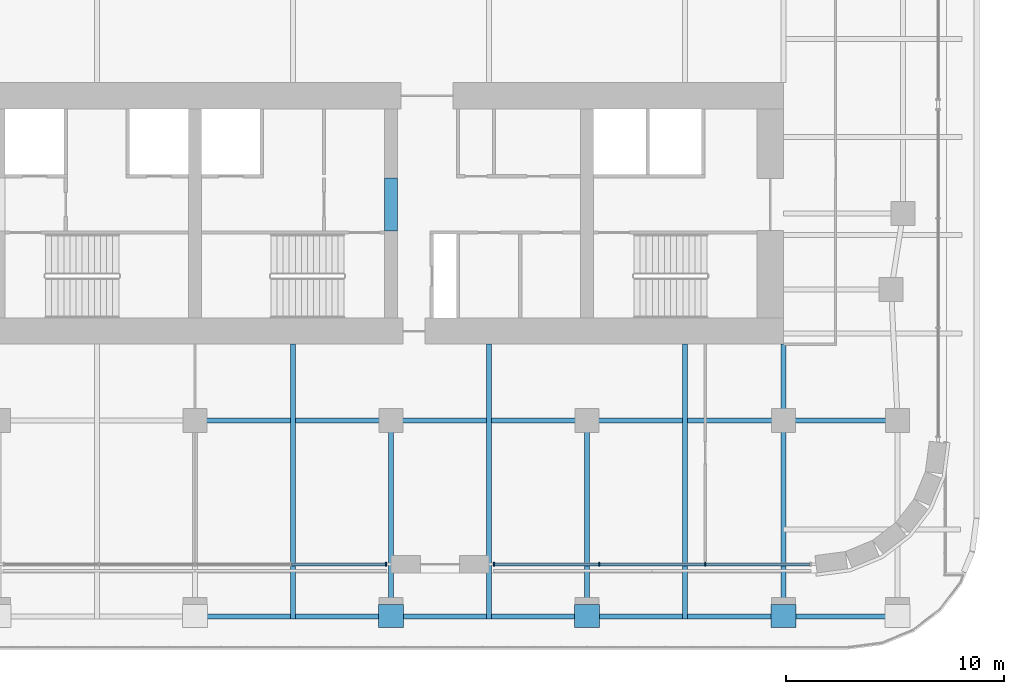
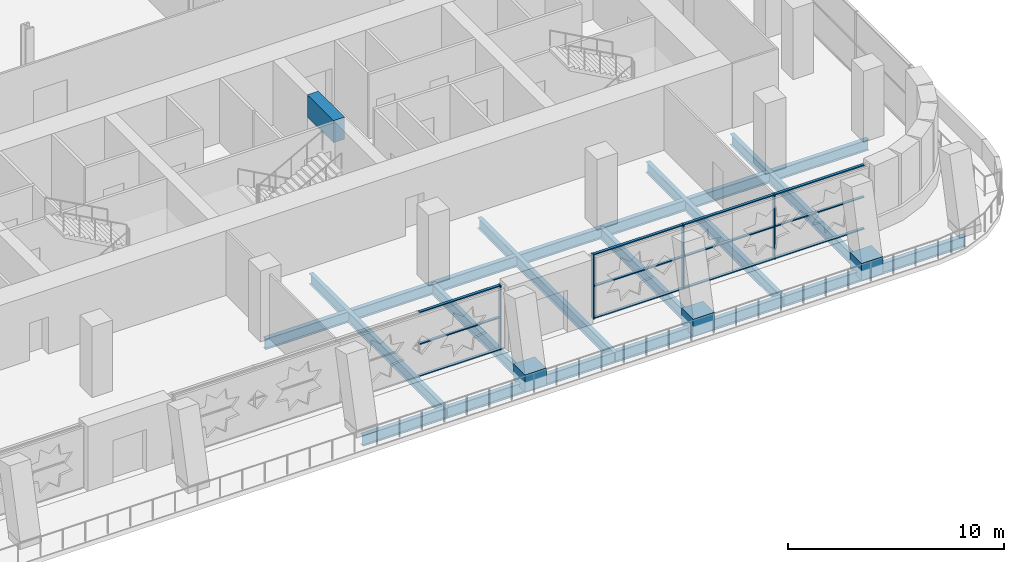
# One storey, part 6 of 26: 16 members, 14 beams, 2 elements without a shape of their own.
"""IFC4 building model written with IfcOpenShell, lengths in metres."""

from ifc_helpers import new_model, si_unit, direction, frame, origin, origin_2d, place, context, subcontext, project, spatial, rectangle, i_section, extrude, material, material_profile, profile_set, type_object, element, aggregate, save


model = new_model("IFC4")

# Units and contexts
model_context = context("Model", 3, precision=1e-05, world=origin(), true_north=direction((0.0, 1.0)))
body_context = subcontext(model_context, "Body", "Model", "MODEL_VIEW")
ifc_project = project(units=[si_unit("LENGTHUNIT", "METRE"), si_unit("AREAUNIT", "SQUARE_METRE"), si_unit("VOLUMEUNIT", "CUBIC_METRE"), si_unit("PLANEANGLEUNIT", "RADIAN"), si_unit("MASSUNIT", "GRAM", prefix="KILO")], contexts=[model_context])

# Site, building, storey
site_placement = place(None, origin())
site = spatial("IfcSite", under=ifc_project, at=site_placement, CompositionType="ELEMENT")
building_placement = place(site_placement, origin())
building = spatial("IfcBuilding", under=site, at=building_placement, Name="Zellij Exchange Tower", CompositionType="ELEMENT")
storey_placement = place(building_placement, frame((0.0, 0.0, 100.5)))
storey = spatial("IfcBuildingStorey", under=building, at=storey_placement, Name="L21", CompositionType="ELEMENT", Elevation=100.5)

# Beam
ifc_material_1 = material(Name="Concrete C70/85", Category="concrete")
ifc_material_profile_1 = material_profile(ifc_material_1, rectangle(XDim=0.60009765625, YDim=1.25, at=origin_2d()), Name="CORE-CB 600x1250 C70/85")
ifc_profile_set_1 = profile_set([ifc_material_profile_1], Name="Concrete C70/85")
beam_type_1 = type_object("IfcBeamType", Name="CORE-CB 600x1250 C70/85", PredefinedType="BEAM", material=ifc_profile_set_1)
beam_1_placement = place(storey_placement, frame((9.0, -8.800048828125, 3.02490234375), z_axis=(0.0, 1.0, 0.0), x_axis=(-1.0, 0.0, 0.0)))
element("IfcBeam", 1, at=beam_1_placement, inside=storey, type_object=beam_type_1, Name="Core coupling beam x 9 L21", PredefinedType="BEAM", context=body_context, shape_type="SweptSolid", body=[
    extrude(rectangle(XDim=0.60009765625, YDim=1.25, at=origin_2d()), origin(), (0.0, 0.0, 1.0), 2.425048828125),
])

# Curtain wall, member
ifc_material_2 = material(Name="Aluminium frame, clear insulating glass", Category="aluminium")
curtain_wall_type = type_object("IfcCurtainWallType", Name="ENV-CW6 Sky-lobby glazing", PredefinedType="NOTDEFINED", material=ifc_material_2)
curtain_wall_1_placement = place(storey_placement, origin())
curtain_wall_1 = element("IfcCurtainWall", 2, at=curtain_wall_1_placement, inside=storey, type_object=curtain_wall_type, Name="cw.L21.00c", PredefinedType="NOTDEFINED")
ifc_material_3 = material(Name="Aluminium", Category="aluminium")
ifc_material_profile_2 = material_profile(ifc_material_3, rectangle(XDim=0.06005859375, YDim=0.199951171875, at=origin_2d()), Name="AL 60x200")
ifc_profile_set_2 = profile_set([ifc_material_profile_2], Name="Aluminium")
member_type_1 = type_object("IfcMemberType", Name="ENV-CW6M Mullion 60x200", PredefinedType="MULLION", material=ifc_profile_set_2)
member_1_placement = place(storey_placement, frame((8.77001953125, -24.10009765625, 0.0), z_axis=(0.0, 0.0, 1.0), x_axis=(1.0, 0.0, 0.0)))
member_1 = element("IfcMember", 3, at=member_1_placement, type_object=member_type_1, Name="CW6 mullion 5", PredefinedType="MULLION", context=body_context, shape_type="SweptSolid", body=[
    extrude(rectangle(XDim=0.06005859375, YDim=0.199951171875, at=origin_2d()), origin(), (0.0, 0.0, 1.0), 3.64990234375),
])

# Curtain wall, members
curtain_wall_2_placement = place(storey_placement, origin())
curtain_wall_2 = element("IfcCurtainWall", 4, at=curtain_wall_2_placement, inside=storey, type_object=curtain_wall_type, Name="cw.L21.00e", PredefinedType="NOTDEFINED")
member_2_placement = place(storey_placement, frame((13.72998046875, -24.10009765625, 0.0), z_axis=(0.0, 0.0, 1.0), x_axis=(1.0, 0.0, 0.0)))
member_2 = element("IfcMember", 5, at=member_2_placement, type_object=member_type_1, Name="CW6 mullion 1", PredefinedType="MULLION", context=body_context, shape_type="SweptSolid", body=[
    extrude(rectangle(XDim=0.06005859375, YDim=0.199951171875, at=origin_2d()), origin(), (0.0, 0.0, 1.0), 3.64990234375),
])
member_3_placement = place(storey_placement, frame((18.557861328125, -24.10009765625, 0.0), z_axis=(0.0, 0.0, 1.0), x_axis=(1.0, 0.0, 0.0)))
member_3 = element("IfcMember", 6, at=member_3_placement, type_object=member_type_1, Name="CW6 mullion 2", PredefinedType="MULLION", context=body_context, shape_type="SweptSolid", body=[
    extrude(rectangle(XDim=0.06005859375, YDim=0.199951171875, at=origin_2d()), origin(), (0.0, 0.0, 1.0), 3.64990234375),
])
member_4_placement = place(storey_placement, frame((23.415771484375, -24.10009765625, 0.0), z_axis=(0.0, 0.0, 1.0), x_axis=(1.0, 0.0, 0.0)))
member_4 = element("IfcMember", 7, at=member_4_placement, type_object=member_type_1, Name="CW6 mullion 3", PredefinedType="MULLION", context=body_context, shape_type="SweptSolid", body=[
    extrude(rectangle(XDim=0.06005859375, YDim=0.199951171875, at=origin_2d()), origin(), (0.0, 0.0, 1.0), 3.64990234375),
])

# Member
ifc_material_profile_3 = material_profile(ifc_material_3, rectangle(XDim=0.139892578125, YDim=0.06005859375, at=origin_2d()), Name="AL 140x60")
ifc_profile_set_3 = profile_set([ifc_material_profile_3], Name="Aluminium")
member_type_2 = type_object("IfcMemberType", Name="ENV-CW6T Transom 140x60", PredefinedType="USERDEFINED", material=ifc_profile_set_3)
member_5_placement = place(storey_placement, frame((4.429931640625, -24.10009765625, 0.030029296875), z_axis=(1.0, 0.0, 0.0), x_axis=(0.0, 1.0, 0.0)))
member_5 = element("IfcMember", 8, at=member_5_placement, type_object=member_type_2, Name="CW6 transom 4.1", ObjectType="TRANSOM", PredefinedType="USERDEFINED", context=body_context, shape_type="SweptSolid", body=[
    extrude(rectangle(XDim=0.139892578125, YDim=0.06005859375, at=origin_2d()), origin(), (0.0, 0.0, 1.0), 4.31005859375),
])

member_6_placement = place(storey_placement, frame((4.429931640625, -24.10009765625, 1.824951171875), z_axis=(1.0, 0.0, 0.0), x_axis=(0.0, 1.0, 0.0)))
member_6 = element("IfcMember", 9, at=member_6_placement, type_object=member_type_2, Name="CW6 transom 4.2", ObjectType="TRANSOM", PredefinedType="USERDEFINED", context=body_context, shape_type="SweptSolid", body=[
    extrude(rectangle(XDim=0.139892578125, YDim=0.06005859375, at=origin_2d()), origin(), (0.0, 0.0, 1.0), 4.31005859375),
])

member_7_placement = place(storey_placement, frame((4.429931640625, -24.10009765625, 3.6201171875), z_axis=(1.0, 0.0, 0.0), x_axis=(0.0, 1.0, 0.0)))
member_7 = element("IfcMember", 10, at=member_7_placement, type_object=member_type_2, Name="CW6 transom 4.3", ObjectType="TRANSOM", PredefinedType="USERDEFINED", context=body_context, shape_type="SweptSolid", body=[
    extrude(rectangle(XDim=0.139892578125, YDim=0.06005859375, at=origin_2d()), origin(), (0.0, 0.0, 1.0), 4.31005859375),
])

aggregate(curtain_wall_1, [member_1, member_5, member_6, member_7])

member_8_placement = place(storey_placement, frame((13.760009765625, -24.10009765625, 0.030029296875), z_axis=(1.0, 0.0, 0.0), x_axis=(0.0, 1.0, 0.0)))
member_8 = element("IfcMember", 11, at=member_8_placement, type_object=member_type_2, Name="CW6 transom 1.1", ObjectType="TRANSOM", PredefinedType="USERDEFINED", context=body_context, shape_type="SweptSolid", body=[
    extrude(rectangle(XDim=0.139892578125, YDim=0.06005859375, at=origin_2d()), origin(), (0.0, 0.0, 1.0), 4.767822265625),
])

member_9_placement = place(storey_placement, frame((13.760009765625, -24.10009765625, 1.824951171875), z_axis=(1.0, 0.0, 0.0), x_axis=(0.0, 1.0, 0.0)))
member_9 = element("IfcMember", 12, at=member_9_placement, type_object=member_type_2, Name="CW6 transom 1.2", ObjectType="TRANSOM", PredefinedType="USERDEFINED", context=body_context, shape_type="SweptSolid", body=[
    extrude(rectangle(XDim=0.139892578125, YDim=0.06005859375, at=origin_2d()), origin(), (0.0, 0.0, 1.0), 4.767822265625),
])

member_10_placement = place(storey_placement, frame((13.760009765625, -24.10009765625, 3.6201171875), z_axis=(1.0, 0.0, 0.0), x_axis=(0.0, 1.0, 0.0)))
member_10 = element("IfcMember", 13, at=member_10_placement, type_object=member_type_2, Name="CW6 transom 1.3", ObjectType="TRANSOM", PredefinedType="USERDEFINED", context=body_context, shape_type="SweptSolid", body=[
    extrude(rectangle(XDim=0.139892578125, YDim=0.06005859375, at=origin_2d()), origin(), (0.0, 0.0, 1.0), 4.767822265625),
])

member_11_placement = place(storey_placement, frame((18.587890625, -24.10009765625, 0.030029296875), z_axis=(1.0, 0.0, 0.0), x_axis=(0.0, 1.0, 0.0)))
member_11 = element("IfcMember", 14, at=member_11_placement, type_object=member_type_2, Name="CW6 transom 2.1", ObjectType="TRANSOM", PredefinedType="USERDEFINED", context=body_context, shape_type="SweptSolid", body=[
    extrude(rectangle(XDim=0.139892578125, YDim=0.06005859375, at=origin_2d()), origin(), (0.0, 0.0, 1.0), 4.798095703125),
])

member_12_placement = place(storey_placement, frame((18.587890625, -24.10009765625, 1.824951171875), z_axis=(1.0, 0.0, 0.0), x_axis=(0.0, 1.0, 0.0)))
member_12 = element("IfcMember", 15, at=member_12_placement, type_object=member_type_2, Name="CW6 transom 2.2", ObjectType="TRANSOM", PredefinedType="USERDEFINED", context=body_context, shape_type="SweptSolid", body=[
    extrude(rectangle(XDim=0.139892578125, YDim=0.06005859375, at=origin_2d()), origin(), (0.0, 0.0, 1.0), 4.798095703125),
])

member_13_placement = place(storey_placement, frame((18.587890625, -24.10009765625, 3.6201171875), z_axis=(1.0, 0.0, 0.0), x_axis=(0.0, 1.0, 0.0)))
member_13 = element("IfcMember", 16, at=member_13_placement, type_object=member_type_2, Name="CW6 transom 2.3", ObjectType="TRANSOM", PredefinedType="USERDEFINED", context=body_context, shape_type="SweptSolid", body=[
    extrude(rectangle(XDim=0.139892578125, YDim=0.06005859375, at=origin_2d()), origin(), (0.0, 0.0, 1.0), 4.798095703125),
])

member_14_placement = place(storey_placement, frame((23.44580078125, -24.10009765625, 0.030029296875), z_axis=(1.0, 0.0, 0.0), x_axis=(0.0, 1.0, 0.0)))
member_14 = element("IfcMember", 17, at=member_14_placement, type_object=member_type_2, Name="CW6 transom 3.1", ObjectType="TRANSOM", PredefinedType="USERDEFINED", context=body_context, shape_type="SweptSolid", body=[
    extrude(rectangle(XDim=0.139892578125, YDim=0.06005859375, at=origin_2d()), origin(), (0.0, 0.0, 1.0), 4.76806640625),
])

member_15_placement = place(storey_placement, frame((23.44580078125, -24.10009765625, 1.824951171875), z_axis=(1.0, 0.0, 0.0), x_axis=(0.0, 1.0, 0.0)))
member_15 = element("IfcMember", 18, at=member_15_placement, type_object=member_type_2, Name="CW6 transom 3.2", ObjectType="TRANSOM", PredefinedType="USERDEFINED", context=body_context, shape_type="SweptSolid", body=[
    extrude(rectangle(XDim=0.139892578125, YDim=0.06005859375, at=origin_2d()), origin(), (0.0, 0.0, 1.0), 4.76806640625),
])

member_16_placement = place(storey_placement, frame((23.44580078125, -24.10009765625, 3.6201171875), z_axis=(1.0, 0.0, 0.0), x_axis=(0.0, 1.0, 0.0)))
member_16 = element("IfcMember", 19, at=member_16_placement, type_object=member_type_2, Name="CW6 transom 3.3", ObjectType="TRANSOM", PredefinedType="USERDEFINED", context=body_context, shape_type="SweptSolid", body=[
    extrude(rectangle(XDim=0.139892578125, YDim=0.06005859375, at=origin_2d()), origin(), (0.0, 0.0, 1.0), 4.76806640625),
])

aggregate(curtain_wall_2, [member_2, member_3, member_4, member_8, member_9, member_10, member_11, member_12, member_13, member_14, member_15, member_16])

# Beams
ifc_material_4 = material(Name="Structural steel ASTM A992 Gr 50", Category="steel")
ifc_material_profile_4 = material_profile(ifc_material_4, i_section(OverallWidth=0.227783203125, OverallDepth=0.60205078125, WebThickness=0.010498046875, FlangeThickness=0.014892578125, at=origin_2d()), Name="W24x68")
ifc_profile_set_4 = profile_set([ifc_material_profile_4], Name="Structural steel ASTM A992 Gr 50")
beam_type_2 = type_object("IfcBeamType", Name="STR-BEAM W24x68", PredefinedType="BEAM", material=ifc_profile_set_4)
for number, where, z_axis, x_axis, name in (
    (20, (4.5, -26.614501953125, -0.60107421875), (0.0, 1.0, 0.0), (-1.0, 0.0, 0.0), "B5"),
    (21, (13.5, -26.614501953125, -0.60107421875), (0.0, 1.0, 0.0), (-1.0, 0.0, 0.0), "B5"),
    (22, (22.5, -26.614501953125, -0.60107421875), (0.0, 1.0, 0.0), (-1.0, 0.0, 0.0), "B5"),
):
    element("IfcBeam", number, at=place(storey_placement, frame(where, z_axis=z_axis, x_axis=x_axis)), inside=storey, type_object=beam_type_2, Name=name, PredefinedType="BEAM", context=body_context, shape_type="SweptSolid", body=[
        extrude(i_section(OverallWidth=0.227783203125, OverallDepth=0.60205078125, WebThickness=0.010498046875, FlangeThickness=0.014892578125, at=origin_2d()), origin(), (0.0, 0.0, 1.0), 12.614501953125),
    ])
ifc_material_profile_5 = material_profile(ifc_material_4, i_section(OverallWidth=0.22900390625, OverallDepth=0.612060546875, WebThickness=0.011962890625, FlangeThickness=0.01953125, at=origin_2d()), Name="W24x84")
ifc_profile_set_5 = profile_set([ifc_material_profile_5], Name="Structural steel ASTM A992 Gr 50")
beam_type_3 = type_object("IfcBeamType", Name="STR-GIRDER W24x84", PredefinedType="BEAM", material=ifc_profile_set_5)
beam_2_placement = place(storey_placement, frame((0.0, -26.5, -0.606201171875), z_axis=(1.0, 0.0, 0.0), x_axis=(0.0, 1.0, 0.0)))
element("IfcBeam", 23, at=beam_2_placement, inside=storey, type_object=beam_type_3, Name="G4", PredefinedType="BEAM", context=body_context, shape_type="SweptSolid", body=[
    extrude(i_section(OverallWidth=0.22900390625, OverallDepth=0.612060546875, WebThickness=0.011962890625, FlangeThickness=0.01953125, at=origin_2d()), origin(), (0.0, 0.0, 1.0), 18.0),
])
beam_3_placement = place(storey_placement, frame((18.0, -26.5, -0.606201171875), z_axis=(1.0, 0.0, 0.0), x_axis=(0.0, 1.0, 0.0)))
element("IfcBeam", 24, at=beam_3_placement, inside=storey, type_object=beam_type_3, Name="G4", PredefinedType="BEAM", context=body_context, shape_type="SweptSolid", body=[
    extrude(i_section(OverallWidth=0.22900390625, OverallDepth=0.612060546875, WebThickness=0.011962890625, FlangeThickness=0.01953125, at=origin_2d()), origin(), (0.0, 0.0, 1.0), 14.25),
])
beam_4_placement = place(storey_placement, frame((0.0, -17.5, -0.606201171875), z_axis=(1.0, 0.0, 0.0), x_axis=(0.0, 1.0, 0.0)))
element("IfcBeam", 25, at=beam_4_placement, inside=storey, type_object=beam_type_3, Name="G4", PredefinedType="BEAM", context=body_context, shape_type="SweptSolid", body=[
    extrude(i_section(OverallWidth=0.22900390625, OverallDepth=0.612060546875, WebThickness=0.011962890625, FlangeThickness=0.01953125, at=origin_2d()), origin(), (0.0, 0.0, 1.0), 18.0),
])
beam_5_placement = place(storey_placement, frame((18.0, -17.5, -0.606201171875), z_axis=(1.0, 0.0, 0.0), x_axis=(0.0, 1.0, 0.0)))
element("IfcBeam", 26, at=beam_5_placement, inside=storey, type_object=beam_type_3, Name="G4", PredefinedType="BEAM", context=body_context, shape_type="SweptSolid", body=[
    extrude(i_section(OverallWidth=0.22900390625, OverallDepth=0.612060546875, WebThickness=0.011962890625, FlangeThickness=0.01953125, at=origin_2d()), origin(), (0.0, 0.0, 1.0), 14.25),
])
for number, where, z_axis, x_axis, name in (
    (27, (9.0, -26.5, -0.606201171875), (0.0, 1.0, 0.0), (-1.0, 0.0, 0.0), "G4"),
    (28, (18.0, -26.5, -0.606201171875), (0.0, 1.0, 0.0), (-1.0, 0.0, 0.0), "G4"),
):
    element("IfcBeam", number, at=place(storey_placement, frame(where, z_axis=z_axis, x_axis=x_axis)), inside=storey, type_object=beam_type_3, Name=name, PredefinedType="BEAM", context=body_context, shape_type="SweptSolid", body=[
        extrude(i_section(OverallWidth=0.22900390625, OverallDepth=0.612060546875, WebThickness=0.011962890625, FlangeThickness=0.01953125, at=origin_2d()), origin(), (0.0, 0.0, 1.0), 9.0),
    ])
beam_6_placement = place(storey_placement, frame((27.0, -26.5, -0.606201171875), z_axis=(0.0, 1.0, 0.0), x_axis=(-1.0, 0.0, 0.0)))
element("IfcBeam", 29, at=beam_6_placement, inside=storey, type_object=beam_type_3, Name="G4", PredefinedType="BEAM", context=body_context, shape_type="SweptSolid", body=[
    extrude(i_section(OverallWidth=0.22900390625, OverallDepth=0.612060546875, WebThickness=0.011962890625, FlangeThickness=0.01953125, at=origin_2d()), origin(), (0.0, 0.0, 1.0), 12.5),
])
ifc_material_profile_6 = material_profile(ifc_material_1, rectangle(XDim=1.14990234375, YDim=0.949951171875, at=origin_2d()), Name="STR-KNUCKLE BLOCK RC1150x950 C70/85")
ifc_profile_set_6 = profile_set([ifc_material_profile_6], Name="Concrete C70/85")
beam_type_4 = type_object("IfcBeamType", Name="STR-KNUCKLE BLOCK RC1150x950 C70/85", PredefinedType="BEAM", material=ifc_profile_set_6)
for number, where, z_axis, x_axis, name in (
    (30, (9.0, -27.000244140625, -0.074951171875), (0.0, 1.0, 0.0), (-1.0, 0.0, 0.0), "KB5"),
    (31, (18.0, -27.000244140625, -0.074951171875), (0.0, 1.0, 0.0), (-1.0, 0.0, 0.0), "KB5"),
    (32, (27.0, -27.000244140625, -0.074951171875), (0.0, 1.0, 0.0), (-1.0, 0.0, 0.0), "KB5"),
):
    element("IfcBeam", number, at=place(storey_placement, frame(where, z_axis=z_axis, x_axis=x_axis)), inside=storey, type_object=beam_type_4, Name=name, PredefinedType="BEAM", context=body_context, shape_type="SweptSolid", body=[
        extrude(rectangle(XDim=1.14990234375, YDim=0.949951171875, at=origin_2d()), origin(), (0.0, 0.0, 1.0), 1.067138671875),
    ])

save(model, "model.ifc")
